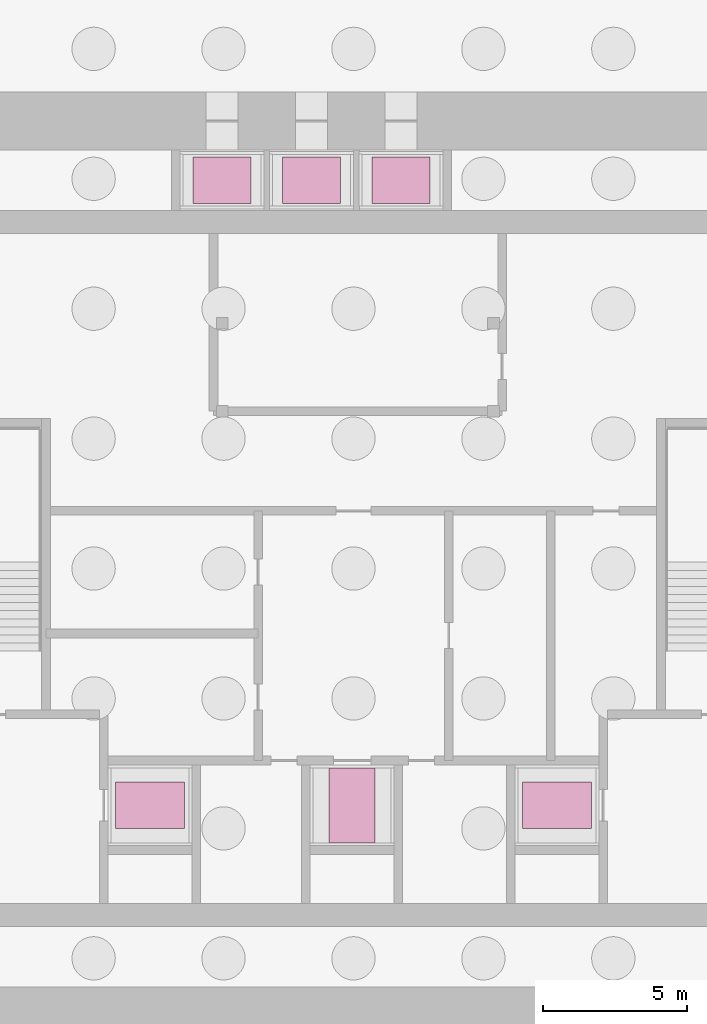
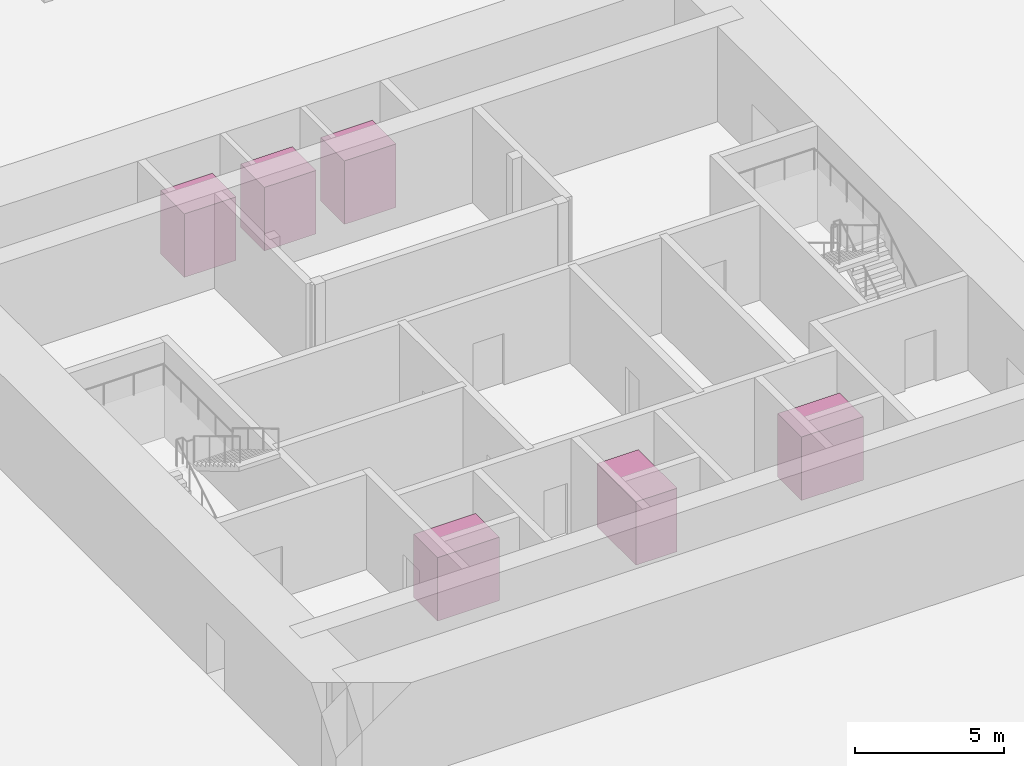
# One storey, part 11 of 11: 6 transport elements.
"""IFC4 building model written with IfcOpenShell, lengths in metres."""

from ifc_helpers import new_model, si_unit, direction, frame, origin, origin_2d, place, context, subcontext, project, spatial, rectangle, extrude, material, type_object, element, save


model = new_model("IFC4")

# Units and contexts
model_context = context("Model", 3, precision=1e-05, world=origin(), true_north=direction((0.0, 1.0)))
body_context = subcontext(model_context, "Body", "Model", "MODEL_VIEW")
ifc_project = project(units=[si_unit("LENGTHUNIT", "METRE"), si_unit("AREAUNIT", "SQUARE_METRE"), si_unit("VOLUMEUNIT", "CUBIC_METRE"), si_unit("PLANEANGLEUNIT", "RADIAN"), si_unit("MASSUNIT", "GRAM", prefix="KILO")], contexts=[model_context])

# Site, building, storey
site_placement = place(None, origin())
site = spatial("IfcSite", under=ifc_project, at=site_placement, CompositionType="ELEMENT")
building_placement = place(site_placement, origin())
building = spatial("IfcBuilding", under=site, at=building_placement, Name="Khuree Lantern Residences", CompositionType="ELEMENT")
storey_placement = place(building_placement, frame((0.0, 0.0, -13.199951171875)))
storey = spatial("IfcBuildingStorey", under=building, at=storey_placement, Name="B3", CompositionType="ELEMENT", Elevation=-13.199951171875)

# Transport elements
ifc_material = material(Name="Stainless steel lift car", Category="steel")
transport_element_type_1 = type_object("IfcTransportElementType", Name="LIFT CAR FIREFIGHTING 1600X2400 1800 KG", PredefinedType="ELEVATOR", material=ifc_material)
for number, where, z_axis, x_axis, name in (
    (1, (-7.050048828125, -8.199951171875, 0.0), (0.0, 0.0, 1.0), (1.0, 0.0, 0.0), "Firefighting lift FL1"),
    (2, (7.050048828125, -8.199951171875, 0.0), (0.0, 0.0, 1.0), (1.0, 0.0, 0.0), "Firefighting lift FL2"),
):
    element("IfcTransportElement", number, at=place(storey_placement, frame(where, z_axis=z_axis, x_axis=x_axis)), inside=storey, type_object=transport_element_type_1, Name=name, PredefinedType="ELEVATOR", context=body_context, shape_type="SweptSolid", body=[
        extrude(rectangle(XDim=2.39990234375, YDim=1.60009765625, at=origin_2d()), origin(), (0.0, 0.0, 1.0), 2.60009765625),
    ])
transport_element_type_2 = type_object("IfcTransportElementType", Name="LIFT CAR PASSENGER 2000X1600 1600 KG", PredefinedType="ELEVATOR", material=ifc_material)
for number, where, z_axis, x_axis, name in (
    (3, (-4.550048828125, 13.449951171875, 0.0), (0.0, 0.0, 1.0), (1.0, 0.0, 0.0), "Passenger lift PL1"),
    (4, (-1.449951171875, 13.449951171875, 0.0), (0.0, 0.0, 1.0), (1.0, 0.0, 0.0), "Passenger lift PL2"),
    (5, (1.64990234375, 13.449951171875, 0.0), (0.0, 0.0, 1.0), (1.0, 0.0, 0.0), "Passenger lift PL3"),
):
    element("IfcTransportElement", number, at=place(storey_placement, frame(where, z_axis=z_axis, x_axis=x_axis)), inside=storey, type_object=transport_element_type_2, Name=name, PredefinedType="ELEVATOR", context=body_context, shape_type="SweptSolid", body=[
        extrude(rectangle(XDim=2.0, YDim=1.60009765625, at=origin_2d()), origin(), (0.0, 0.0, 1.0), 2.60009765625),
    ])
transport_element_type_3 = type_object("IfcTransportElementType", Name="LIFT CAR SERVICE 1600X2600 2000 KG", PredefinedType="ELEVATOR", material=ifc_material)
transport_element_placement = place(storey_placement, frame((-0.050048828125, -8.199951171875, 0.0), z_axis=(0.0, 0.0, 1.0), x_axis=(1.0, 0.0, 0.0)))
element("IfcTransportElement", 6, at=transport_element_placement, inside=storey, type_object=transport_element_type_3, Name="Service lift SL1", PredefinedType="ELEVATOR", context=body_context, shape_type="SweptSolid", body=[
    extrude(rectangle(XDim=1.60009765625, YDim=2.60009765625, at=origin_2d()), origin(), (0.0, 0.0, 1.0), 2.60009765625),
])

save(model, "model.ifc")
